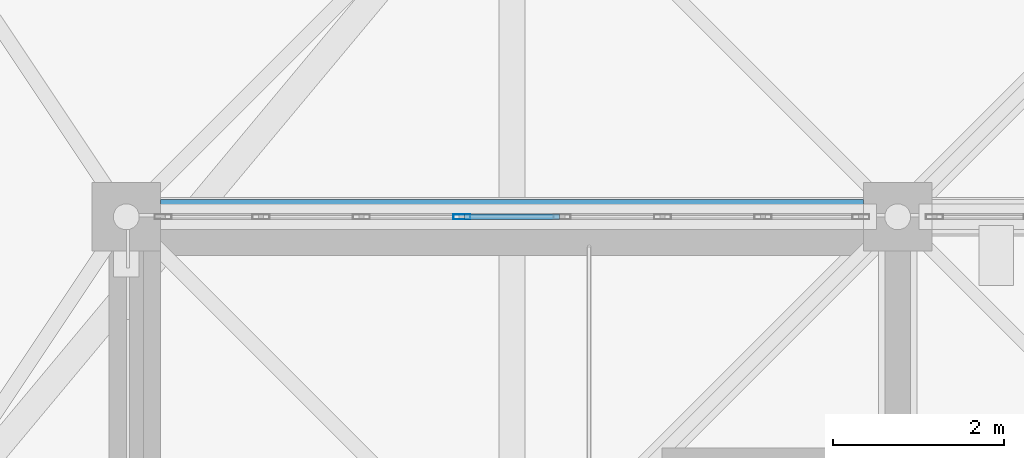
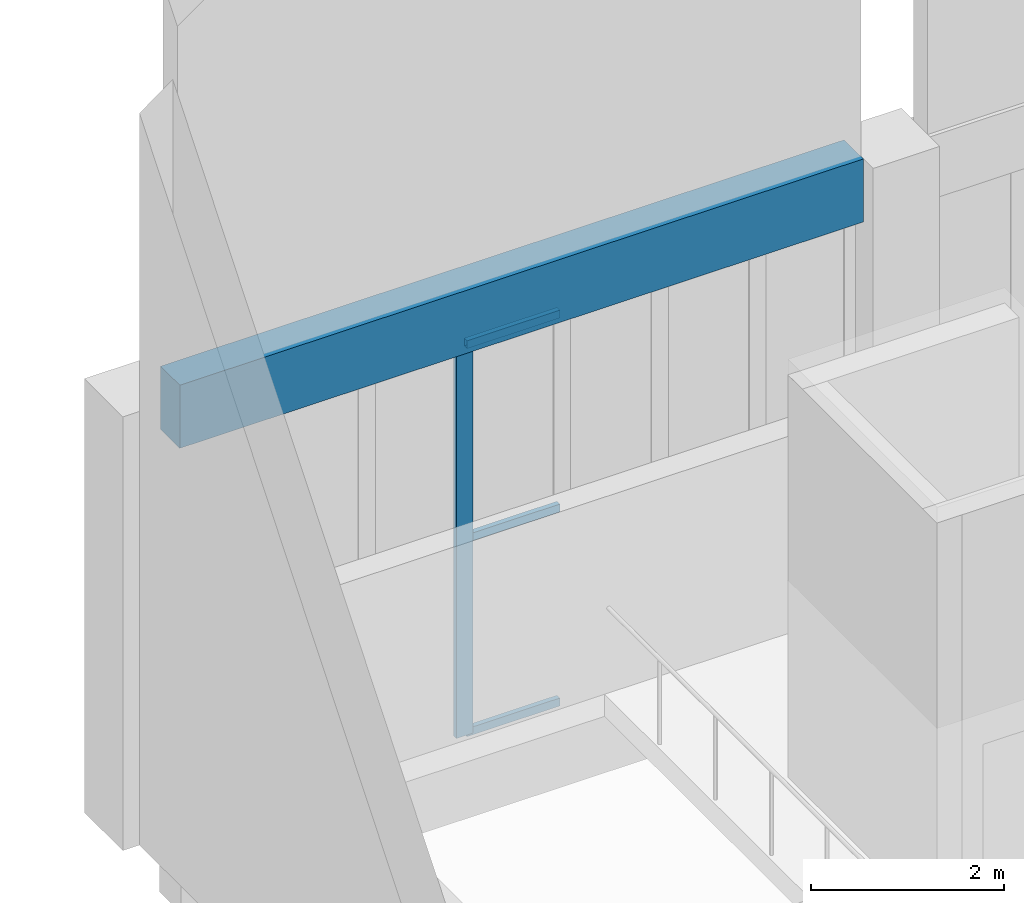
# One storey, part 105 of 437: 4 members, 1 beam, 1 element without a shape of its own.
"""IFC4 building model written with IfcOpenShell, lengths in metres."""

import ifcopenshell
import ifcopenshell.guid

model = None  # the IFC model being written
_history = None  # IfcOwnerHistory: only IFC2X3 demands one
_inside = {}  # id of a spatial element -> (the spatial element, [elements in it])
_under = {}  # id of a project, library or spatial element -> (it, [spatial elements below it])
_declared = {}  # id of a project -> (the project, [libraries it declares])
_typed = {}  # id of a type object -> (the type object, [elements of that type])
_made_of = {}  # id of a material, layer set ... -> (it, [elements and type objects made of it])


def new_model(schema):
    """Start an empty IFC model of exactly this schema.

    Asked for "IFC4X3", IfcOpenShell would pick the latest addendum, in which some entities
    have other attributes; the version numbers below select the first issue.
    IFC2X3 requires an IfcOwnerHistory on every rooted entity: one is made here for all.
    """
    global model, _history
    if schema == "IFC4X3":
        model = ifcopenshell.file(schema_version=(4, 3, 0, 0))
    else:
        model = ifcopenshell.file(schema=schema)
    _inside.clear()
    _under.clear()
    _declared.clear()
    _typed.clear()
    _made_of.clear()
    _history = None
    if model.schema == "IFC2X3":
        org = make("IfcOrganization", Name="unknown")
        user = make(
            "IfcPersonAndOrganization",
            ThePerson=make("IfcPerson", FamilyName="unknown"),
            TheOrganization=org,
        )
        app = make(
            "IfcApplication",
            ApplicationDeveloper=org,
            Version="unknown",
            ApplicationFullName="unknown",
            ApplicationIdentifier="unknown",
        )
        _history = make(
            "IfcOwnerHistory",
            OwningUser=user,
            OwningApplication=app,
            ChangeAction="ADDED",
            CreationDate=0,
        )
    return model


def make(cls, **values):
    """One entity of the class cls with the attributes given. An attribute that is None is left unset."""
    return model.create_entity(
        cls, **{name: value for name, value in values.items() if value is not None}
    )


def rooted(cls, **values):
    """An entity with a GlobalId (a new one), such as an element, a storey or a relation."""
    return make(cls, GlobalId=ifcopenshell.guid.new(), OwnerHistory=_history, **values)


def si_unit(unit_type, name, prefix=None):
    """IfcSIUnit, for example si_unit("LENGTHUNIT", "METRE", prefix="MILLI")."""
    return make("IfcSIUnit", UnitType=unit_type, Prefix=prefix, Name=name)


def assignment(units):
    """IfcUnitAssignment: the units of a project."""
    return None if units is None else make("IfcUnitAssignment", Units=units)


def point(xyz):
    """IfcCartesianPoint."""
    return None if xyz is None else make("IfcCartesianPoint", Coordinates=xyz)


def direction(xyz):
    """IfcDirection."""
    return None if xyz is None else make("IfcDirection", DirectionRatios=xyz)


def frame(location, z_axis=None, x_axis=None):
    """IfcAxis2Placement3D, a coordinate frame: its origin and axes. An axis left out is left unset."""
    return make(
        "IfcAxis2Placement3D",
        Location=point(location),
        Axis=direction(z_axis),
        RefDirection=direction(x_axis),
    )


def frame_2d(location, x_axis=None):
    """IfcAxis2Placement2D, a coordinate frame in the plane: its origin and x axis."""
    return make(
        "IfcAxis2Placement2D", Location=point(location), RefDirection=direction(x_axis)
    )


def origin():
    """The frame at (0, 0, 0) with its axes left unset."""
    return frame((0.0, 0.0, 0.0))


def origin_2d():
    """The frame at (0, 0) in the plane with its x axis left unset."""
    return frame_2d((0.0, 0.0))


def place(relative_to, where):
    """IfcLocalPlacement: puts the frame where relative to a parent placement (None: the world)."""
    return make(
        "IfcLocalPlacement", PlacementRelTo=relative_to, RelativePlacement=where
    )


def context(
    kind, dimensions, precision=None, world=None, true_north=None, identifier=None
):
    """IfcGeometricRepresentationContext, for example the 3D "Model" context."""
    return make(
        "IfcGeometricRepresentationContext",
        ContextIdentifier=identifier,
        ContextType=kind,
        CoordinateSpaceDimension=dimensions,
        Precision=precision,
        WorldCoordinateSystem=world,
        TrueNorth=true_north,
    )


def subcontext(parent, identifier, kind, view, scale=None):
    """IfcGeometricRepresentationSubContext, for example "Body" below "Model"."""
    return make(
        "IfcGeometricRepresentationSubContext",
        ContextIdentifier=identifier,
        ContextType=kind,
        ParentContext=parent,
        TargetScale=scale,
        TargetView=view,
    )


def project(units=None, contexts=None):
    """IfcProject with its units and contexts."""
    return rooted(
        "IfcProject",
        Name="project",
        RepresentationContexts=contexts,
        UnitsInContext=assignment(units),
    )


def spatial(cls, under=None, at=None, **own):
    """A site, building, storey or space (cls), placed at a placement, below another one or the project."""
    s = rooted(cls, ObjectPlacement=at, **own)
    if under is not None:
        _under.setdefault(under.id(), (under, []))[1].append(s)
    return s


def profile(cls, at=None, kind="AREA", **sizes):
    """A parametric profile (cls). Its sizes go by their IFC names, for example OverallWidth=200.0."""
    return make(cls, ProfileType=kind, Position=at, **sizes)


def rectangle(**sizes):
    """IfcRectangleProfileDef."""
    return profile("IfcRectangleProfileDef", **sizes)


def hollow_rectangle(**sizes):
    """IfcRectangleHollowProfileDef."""
    return profile("IfcRectangleHollowProfileDef", **sizes)


def extrude(swept, where, along, depth):
    """IfcExtrudedAreaSolid: the profile swept, set in the frame where, extruded along a direction by depth."""
    return make(
        "IfcExtrudedAreaSolid",
        SweptArea=swept,
        Position=where,
        ExtrudedDirection=direction(along),
        Depth=depth,
    )


def shape(context_of_items, identifier, shape_type, items):
    """IfcShapeRepresentation: the items that make up one representation, for example the "Body"."""
    return make(
        "IfcShapeRepresentation",
        ContextOfItems=context_of_items,
        RepresentationIdentifier=identifier,
        RepresentationType=shape_type,
        Items=items,
    )


def material(Name=None, Category=None):
    """IfcMaterial."""
    return make("IfcMaterial", Name=Name, Category=Category)


def layer(
    of_material, thickness, ventilated=None, Name=None, Category=None, Priority=None
):
    """IfcMaterialLayer: one layer of a wall or slab, of a material (None: an air gap)."""
    return make(
        "IfcMaterialLayer",
        Material=of_material,
        LayerThickness=thickness,
        IsVentilated=ventilated,
        Name=Name,
        Category=Category,
        Priority=Priority,
    )


def layer_set(layers, Name=None):
    """IfcMaterialLayerSet."""
    return make("IfcMaterialLayerSet", MaterialLayers=layers, LayerSetName=Name)


def material_profile(
    of_material, cross_section, Name=None, Category=None, Priority=None
):
    """IfcMaterialProfile: a cross section and its material."""
    return make(
        "IfcMaterialProfile",
        Name=Name,
        Material=of_material,
        Profile=cross_section,
        Priority=Priority,
        Category=Category,
    )


def profile_set(profiles, Name=None, composite=None):
    """IfcMaterialProfileSet."""
    return make(
        "IfcMaterialProfileSet",
        Name=Name,
        MaterialProfiles=profiles,
        CompositeProfile=composite,
    )


def made_of(thing, what):
    """Note that an element or type object is made of a material, layer set ...; save() writes the relation."""
    if what is not None:
        _made_of.setdefault(what.id(), (what, []))[1].append(thing)
    return thing


def type_object(cls, material=None, **own):
    """A type object (cls), such as IfcWallType, which elements share."""
    return made_of(rooted(cls, **own), material)


def element(
    cls,
    number,
    at=None,
    inside=None,
    cuts=None,
    type_object=None,
    material=None,
    context=None,
    identifier="Body",
    shape_type=None,
    held_by="IfcProductDefinitionShape",
    body=None,
    shapes=None,
    **own,
):
    """One element of the class cls, such as IfcWall. Its Tag is "e" and its number.

    at: its placement. inside: the storey or other place that contains it. cuts: it is an
    opening in that element (IfcRelVoidsElement). A single representation is given by context,
    identifier, shape_type and body (its items); several are given by shapes. held_by: the class
    of the entity that holds the representations. save() writes the other relations.
    """
    e = rooted(cls, Tag="e%d" % number, ObjectPlacement=at, **own)
    if body is not None:
        shapes = [shape(context, identifier, shape_type, body)]
    if shapes is not None:
        e.Representation = make(held_by, Representations=shapes)
    if inside is not None:
        _inside.setdefault(inside.id(), (inside, []))[1].append(e)
    if cuts is not None:
        rooted(
            "IfcRelVoidsElement", RelatingBuildingElement=cuts, RelatedOpeningElement=e
        )
    if type_object is not None:
        _typed.setdefault(type_object.id(), (type_object, []))[1].append(e)
    return made_of(e, material)


def aggregate(whole, parts):
    """IfcRelAggregates: a whole, such as a stair, and the parts it consists of."""
    return rooted("IfcRelAggregates", RelatingObject=whole, RelatedObjects=parts)


def save(model, path):
    """Write the relations noted so far, then the file.

    IfcRelAggregates (storeys below a building ...), IfcRelContainedInSpatialStructure (elements
    in a storey), IfcRelDefinesByType, IfcRelAssociatesMaterial and IfcRelDeclares: one each for
    every whole, place, type object, material and project.
    """
    for whole, parts in _under.values():
        aggregate(whole, parts)
    for where, things in _inside.values():
        rooted(
            "IfcRelContainedInSpatialStructure",
            RelatedElements=things,
            RelatingStructure=where,
        )
    for kind, things in _typed.values():
        rooted("IfcRelDefinesByType", RelatedObjects=things, RelatingType=kind)
    for what, things in _made_of.values():
        rooted("IfcRelAssociatesMaterial", RelatedObjects=things, RelatingMaterial=what)
    for by, libraries in _declared.values():
        rooted("IfcRelDeclares", RelatingContext=by, RelatedDefinitions=libraries)
    model.write(path)


model = new_model("IFC4")

# Units and contexts
model_context = context("Model", 3, precision=1e-05, world=origin(), true_north=direction((0.0, 1.0)))
body_context = subcontext(model_context, "Body", "Model", "MODEL_VIEW")
ifc_project = project(units=[si_unit("LENGTHUNIT", "METRE"), si_unit("AREAUNIT", "SQUARE_METRE"), si_unit("VOLUMEUNIT", "CUBIC_METRE"), si_unit("PLANEANGLEUNIT", "RADIAN"), si_unit("MASSUNIT", "GRAM", prefix="KILO")], contexts=[model_context])

# Site, building, storey
site_placement = place(None, origin())
site = spatial("IfcSite", under=ifc_project, at=site_placement, CompositionType="ELEMENT")
building_placement = place(site_placement, origin())
building = spatial("IfcBuilding", under=site, at=building_placement, Name="Opaline Strait Convention Centre", CompositionType="ELEMENT")
storey_placement = place(building_placement, frame((0.0, 0.0, 11.5)))
storey = spatial("IfcBuildingStorey", under=building, at=storey_placement, Name="L02", CompositionType="ELEMENT", Elevation=11.5)

# Curtain wall, members
ifc_material_1 = material(Name="Aluminium framed double glazing", Category="aluminium")
ifc_layer = layer(ifc_material_1, 0.199951171875)
ifc_layer_set = layer_set([ifc_layer], Name="Aluminium framed double glazing")
curtain_wall_type = type_object("IfcCurtainWallType", Name="Curtain wall 1250", PredefinedType="NOTDEFINED", material=ifc_layer_set)
curtain_wall_placement = place(storey_placement, origin())
curtain_wall = element("IfcCurtainWall", 1, at=curtain_wall_placement, inside=storey, type_object=curtain_wall_type, Name="Curtain wall N-9-L02", PredefinedType="NOTDEFINED")
ifc_material_2 = material(Name="Aluminium alloy 6063", Category="aluminium")
ifc_material_profile_1 = material_profile(ifc_material_2, hollow_rectangle(XDim=0.06005859375, YDim=0.199951171875, WallThickness=0.00390625, at=origin_2d()), Name="MULLION 60x200x4")
ifc_profile_set_1 = profile_set([ifc_material_profile_1], Name="Aluminium alloy 6063")
member_type_1 = type_object("IfcMemberType", Name="Curtain wall mullion 60 x 200", PredefinedType="MULLION", material=ifc_profile_set_1)
member_1_placement = place(storey_placement, frame((12.914306640625, 180.0, -0.280029296875), z_axis=(0.0, 0.0, 1.0), x_axis=(0.0, 1.0, 0.0)))
member_1 = element("IfcMember", 2, at=member_1_placement, type_object=member_type_1, Name="PCW mullion 4", PredefinedType="MULLION", context=body_context, shape_type="SweptSolid", body=[
    extrude(hollow_rectangle(XDim=0.06005859375, YDim=0.199951171875, WallThickness=0.00390625, at=origin_2d()), origin(), (0.0, 0.0, 1.0), 4.97998046875),
])
ifc_material_profile_2 = material_profile(ifc_material_2, hollow_rectangle(XDim=0.06005859375, YDim=0.10009765625, WallThickness=0.0029296875, at=origin_2d()), Name="TRANSOM 60x100x3")
ifc_profile_set_2 = profile_set([ifc_material_profile_2], Name="Aluminium alloy 6063")
member_type_2 = type_object("IfcMemberType", Name="Curtain wall transom 60 x 100", PredefinedType="USERDEFINED", material=ifc_profile_set_2)
member_2_placement = place(storey_placement, frame((12.9443359375, 180.0, -0.25), z_axis=(1.0, 0.0, 0.0), x_axis=(0.0, 1.0, 0.0)))
member_2 = element("IfcMember", 3, at=member_2_placement, type_object=member_type_2, Name="PCW transom 4.1", ObjectType="TRANSOM", PredefinedType="USERDEFINED", context=body_context, shape_type="SweptSolid", body=[
    extrude(hollow_rectangle(XDim=0.06005859375, YDim=0.10009765625, WallThickness=0.0029296875, at=origin_2d()), origin(), (0.0, 0.0, 1.0), 1.111328125),
])
member_3_placement = place(storey_placement, frame((12.9443359375, 180.0, 2.2099609375), z_axis=(1.0, 0.0, 0.0), x_axis=(0.0, 1.0, 0.0)))
member_3 = element("IfcMember", 4, at=member_3_placement, type_object=member_type_2, Name="PCW transom 4.2", ObjectType="TRANSOM", PredefinedType="USERDEFINED", context=body_context, shape_type="SweptSolid", body=[
    extrude(hollow_rectangle(XDim=0.06005859375, YDim=0.10009765625, WallThickness=0.0029296875, at=origin_2d()), origin(), (0.0, 0.0, 1.0), 1.111328125),
])
member_4_placement = place(storey_placement, frame((12.9443359375, 180.0, 4.669921875), z_axis=(1.0, 0.0, 0.0), x_axis=(0.0, 1.0, 0.0)))
member_4 = element("IfcMember", 5, at=member_4_placement, type_object=member_type_2, Name="PCW transom 4.3", ObjectType="TRANSOM", PredefinedType="USERDEFINED", context=body_context, shape_type="SweptSolid", body=[
    extrude(hollow_rectangle(XDim=0.06005859375, YDim=0.10009765625, WallThickness=0.0029296875, at=origin_2d()), origin(), (0.0, 0.0, 1.0), 1.111328125),
])
aggregate(curtain_wall, [member_1, member_2, member_3, member_4])

# Beam
ifc_material_3 = material(Name="Concrete C35", Category="concrete")
ifc_material_profile_3 = material_profile(ifc_material_3, rectangle(XDim=0.39990234375, YDim=0.800048828125, at=origin_2d()), Name="RC 400x800")
ifc_profile_set_3 = profile_set([ifc_material_profile_3], Name="Concrete C35")
beam_type = type_object("IfcBeamType", Name="RC ground beam 400x800 C35", PredefinedType="BEAM", material=ifc_profile_set_3)
beam_placement = place(storey_placement, frame((9.39990234375, 180.0, 5.10009765625), z_axis=(1.0, 0.0, 0.0), x_axis=(0.0, 1.0, 0.0)))
element("IfcBeam", 6, at=beam_placement, inside=storey, type_object=beam_type, Name="PGB1 end wall head beam 1", PredefinedType="BEAM", context=body_context, shape_type="SweptSolid", body=[
    extrude(rectangle(XDim=0.39990234375, YDim=0.800048828125, at=origin_2d()), origin(), (0.0, 0.0, 1.0), 8.2001953125),
])

save(model, "model.ifc")
